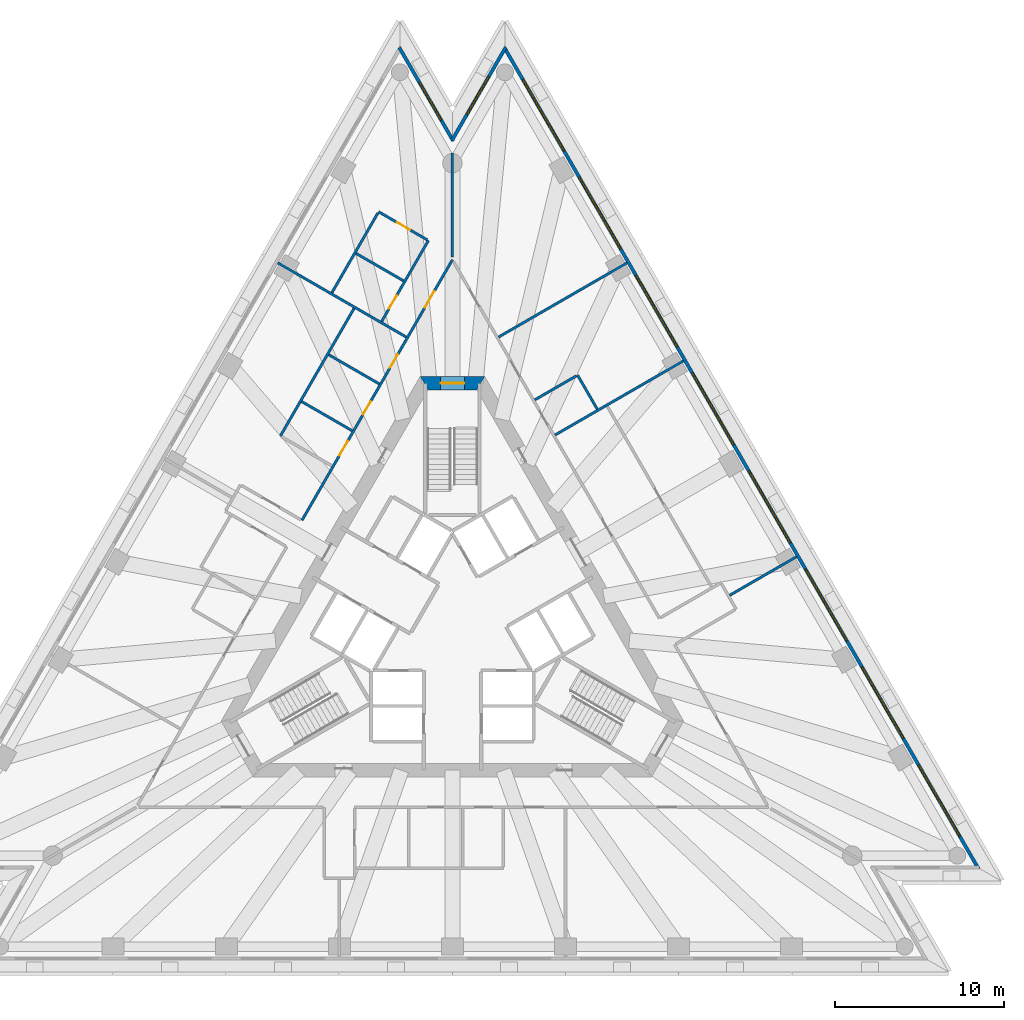
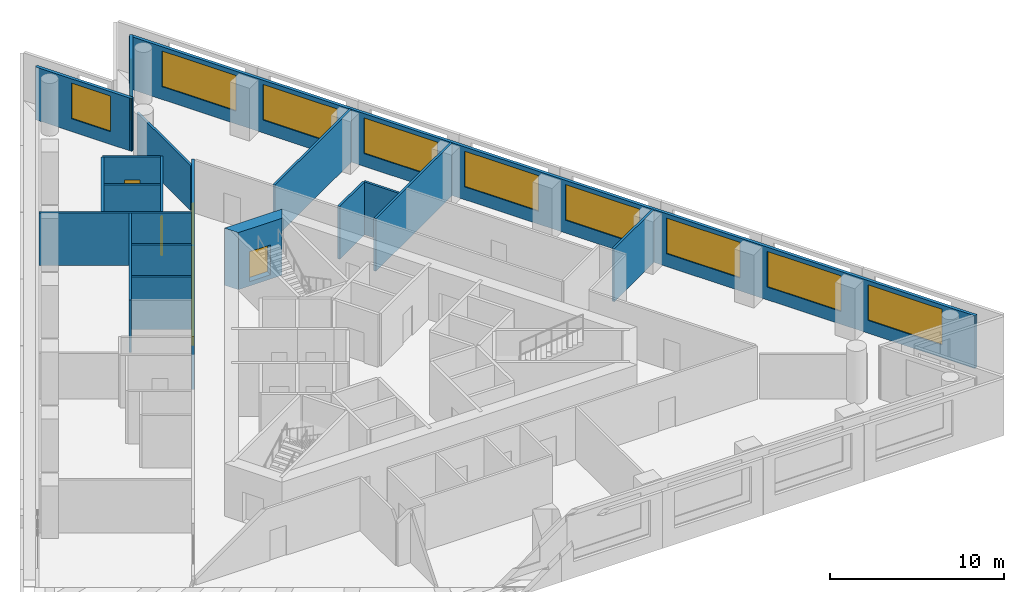
# One storey, part 6 of 9: 19 walls, 10 windows, 7 doors, 17 openings.
"""IFC4 building model written with IfcOpenShell, lengths in metres."""

from ifc_helpers import new_model, si_unit, direction, frame, frame_2d, origin, place, context, subcontext, project, spatial, polyline, rectangle, outline, extrude, material, layer, layer_set, layer_usage, type_object, element, fill, save


model = new_model("IFC4")

# Units and contexts
model_context = context("Model", 3, precision=1e-05, world=origin(), true_north=direction((0.0, 1.0)))
body_context = subcontext(model_context, "Body", "Model", "MODEL_VIEW")
ifc_project = project(units=[si_unit("LENGTHUNIT", "METRE"), si_unit("AREAUNIT", "SQUARE_METRE"), si_unit("VOLUMEUNIT", "CUBIC_METRE"), si_unit("PLANEANGLEUNIT", "RADIAN"), si_unit("MASSUNIT", "GRAM", prefix="KILO")], contexts=[model_context])

# Site, building, storey
site_placement = place(None, origin())
site = spatial("IfcSite", under=ifc_project, at=site_placement, CompositionType="ELEMENT")
building_placement = place(site_placement, origin())
building = spatial("IfcBuilding", under=site, at=building_placement, Name="Triada Interchange Tower", CompositionType="ELEMENT")
storey_placement = place(building_placement, frame((0.0, 0.0, 144.300048828125)))
storey = spatial("IfcBuildingStorey", under=building, at=storey_placement, Name="L33", CompositionType="ELEMENT", Elevation=144.300048828125)

# Wall, opening, door
ifc_material_1 = material(Name="Concrete C60/75", Category="concrete")
ifc_layer_1 = layer(ifc_material_1, 0.800048828125)
ifc_layer_set_1 = layer_set([ifc_layer_1], Name="Core wall B 800")
wall_type_1 = type_object("IfcWallType", Name="Core wall B 800", PredefinedType="SHEAR", material=ifc_layer_set_1)
wall_1_placement = place(storey_placement, frame((1.674072265625, 14.300048828125, -0.300048828125), z_axis=(0.0, 0.0, 1.0), x_axis=(-1.0, 0.0, 0.0)))
wall_1 = element("IfcWall", 1, at=wall_1_placement, inside=storey, type_object=wall_type_1, Name="Core wall WB01 L33", PredefinedType="SHEAR", context=body_context, shape_type="SweptSolid", body=[
    extrude(outline(polyline([(-0.23095703125, -0.39990234375), (1.674072265625, -0.39990234375), (3.5791015625, -0.39990234375), (3.116943359375, 0.39990234375), (1.673828125, 0.39990234375), (0.23095703125, 0.39990234375), (-0.23095703125, -0.39990234375)])), origin(), (0.0, 0.0, 1.0), 4.0),
])
opening_1_placement = place(wall_1_placement, frame((0.97412109375, 0.0, 0.300048828125)))
opening_1 = element("IfcOpeningElement", 2, at=opening_1_placement, cuts=wall_1, Name="Opening D32-35", PredefinedType="OPENING", context=body_context, shape_type="SweptSolid", body=[
    extrude(rectangle(XDim=1.39990234375, YDim=2.10009765625, at=frame_2d((0.699951171875, 1.050048828125))), frame((0.0, 0.409912109375, 0.0), z_axis=(0.0, -1.0, 0.0), x_axis=(1.0, 0.0, 0.0)), (0.0, 0.0, 1.0), 0.820068359375),
])
ifc_material_2 = material(Name="Steel S235 door leaf", Category="steel")
door_type_1 = type_object("IfcDoorType", Name="STAIR DOOR 1400 EI2 90-C5S200", OperationType="DOUBLE_DOOR_SINGLE_SWING", PredefinedType="DOOR", material=ifc_material_2)
door_1_placement = place(opening_1_placement, origin())
door_1 = element("IfcDoor", 3, at=door_1_placement, inside=storey, type_object=door_type_1, Name="Door D32-35 L33", OperationType="DOUBLE_DOOR_SINGLE_SWING", OverallHeight=2.10009765625, OverallWidth=1.39990234375, PredefinedType="DOOR", context=body_context, shape_type="SweptSolid", body=[
    extrude(rectangle(XDim=1.39990234375, YDim=2.10009765625, at=frame_2d((0.699951171875, 1.050048828125))), frame((0.0, 0.02490234375, 0.0), z_axis=(0.0, -1.0, 0.0), x_axis=(1.0, 0.0, 0.0)), (0.0, 0.0, 1.0), 0.050048828125),
])
fill(opening_1, door_1)

# Wall, openings, windows
ifc_material_3 = material(Name="Cement board")
ifc_layer_2 = layer(ifc_material_3, 0.02001953125, Name="Cement board cladding")
ifc_material_4 = material(Name="Sheathing board")
ifc_layer_3 = layer(ifc_material_4, 0.014892578125, Name="Sheathing board")
ifc_material_5 = material(Name="Mineral wool")
ifc_layer_4 = layer(ifc_material_5, 0.14990234375, Name="Mineral wool between steel studs")
ifc_material_6 = material(Name="Gypsum board")
ifc_layer_5 = layer(ifc_material_6, 0.014892578125, Name="Plasterboard lining")
ifc_layer_set_2 = layer_set([ifc_layer_2, ifc_layer_3, ifc_layer_4, ifc_layer_5], Name="External wall 200")
ifc_layer_usage = layer_usage(ifc_layer_set_2, "AXIS2", "POSITIVE", -0.10009765625)
wall_type_2 = type_object("IfcWallType", Name="External wall 200", PredefinedType="ELEMENTEDWALL", material=ifc_layer_set_2)
wall_2_placement = place(storey_placement, frame((31.1259765625, -14.43310546875, 0.0), z_axis=(0.0, 0.0, 1.0), x_axis=(-0.500008098571, 0.866020728022, 0.0)))
wall_2 = element("IfcWall", 4, at=wall_2_placement, inside=storey, type_object=wall_type_2, material=ifc_layer_usage, Name="External wall L33 NE", PredefinedType="ELEMENTEDWALL", context=body_context, shape_type="SweptSolid", body=[
    extrude(rectangle(XDim=56.10498046875, YDim=0.199951171875, at=frame_2d((28.052490234375, 0.0))), origin(), (0.0, 0.0, 1.0), 3.699951171875),
])
opening_2_placement = place(wall_2_placement, frame((2.197998046875, 0.0, 0.89990234375)))
opening_2 = element("IfcOpeningElement", 5, at=opening_2_placement, cuts=wall_2, Name="Opening WB21", PredefinedType="OPENING", context=body_context, shape_type="SweptSolid", body=[
    extrude(rectangle(XDim=4.89990234375, YDim=2.5, at=frame_2d((2.449951171875, 1.25))), frame((0.0, 0.10986328125, 0.0), z_axis=(0.0, -1.0, 0.0), x_axis=(1.0, 0.0, 0.0)), (0.0, 0.0, 1.0), 0.219970703125),
])
opening_3_placement = place(wall_2_placement, frame((8.887939453125, 0.0, 0.89990234375)))
opening_3 = element("IfcOpeningElement", 6, at=opening_3_placement, cuts=wall_2, Name="Opening WB22", PredefinedType="OPENING", context=body_context, shape_type="SweptSolid", body=[
    extrude(rectangle(XDim=4.89990234375, YDim=2.5, at=frame_2d((2.449951171875, 1.25))), frame((0.0, 0.10986328125, 0.0), z_axis=(0.0, -1.0, 0.0), x_axis=(1.0, 0.0, 0.0)), (0.0, 0.0, 1.0), 0.219970703125),
])
opening_4_placement = place(wall_2_placement, frame((15.577880859375, 0.0, 0.89990234375)))
opening_4 = element("IfcOpeningElement", 7, at=opening_4_placement, cuts=wall_2, Name="Opening WB23", PredefinedType="OPENING", context=body_context, shape_type="SweptSolid", body=[
    extrude(rectangle(XDim=4.89990234375, YDim=2.5, at=frame_2d((2.449951171875, 1.25))), frame((0.0, 0.10986328125, 0.0), z_axis=(0.0, -1.0, 0.0), x_axis=(1.0, 0.0, 0.0)), (0.0, 0.0, 1.0), 0.219970703125),
])
opening_5_placement = place(wall_2_placement, frame((22.26708984375, 0.0, 0.89990234375)))
opening_5 = element("IfcOpeningElement", 8, at=opening_5_placement, cuts=wall_2, Name="Opening WB24", PredefinedType="OPENING", context=body_context, shape_type="SweptSolid", body=[
    extrude(rectangle(XDim=4.89990234375, YDim=2.5, at=frame_2d((2.449951171875, 1.25))), frame((0.0, 0.10986328125, 0.0), z_axis=(0.0, -1.0, 0.0), x_axis=(1.0, 0.0, 0.0)), (0.0, 0.0, 1.0), 0.219970703125),
])
opening_6_placement = place(wall_2_placement, frame((28.95703125, 0.0, 0.89990234375)))
opening_6 = element("IfcOpeningElement", 9, at=opening_6_placement, cuts=wall_2, Name="Opening WB25", PredefinedType="OPENING", context=body_context, shape_type="SweptSolid", body=[
    extrude(rectangle(XDim=4.89990234375, YDim=2.5, at=frame_2d((2.449951171875, 1.25))), frame((0.0, 0.10986328125, 0.0), z_axis=(0.0, -1.0, 0.0), x_axis=(1.0, 0.0, 0.0)), (0.0, 0.0, 1.0), 0.219970703125),
])
opening_7_placement = place(wall_2_placement, frame((35.64697265625, 0.0, 0.89990234375)))
opening_7 = element("IfcOpeningElement", 10, at=opening_7_placement, cuts=wall_2, Name="Opening WB26", PredefinedType="OPENING", context=body_context, shape_type="SweptSolid", body=[
    extrude(rectangle(XDim=4.89990234375, YDim=2.5, at=frame_2d((2.449951171875, 1.25))), frame((0.0, 0.10986328125, 0.0), z_axis=(0.0, -1.0, 0.0), x_axis=(1.0, 0.0, 0.0)), (0.0, 0.0, 1.0), 0.219970703125),
])
opening_8_placement = place(wall_2_placement, frame((42.3369140625, 0.0, 0.89990234375)))
opening_8 = element("IfcOpeningElement", 11, at=opening_8_placement, cuts=wall_2, Name="Opening WB27", PredefinedType="OPENING", context=body_context, shape_type="SweptSolid", body=[
    extrude(rectangle(XDim=4.89990234375, YDim=2.5, at=frame_2d((2.449951171875, 1.25))), frame((0.0, 0.10986328125, 0.0), z_axis=(0.0, -1.0, 0.0), x_axis=(1.0, 0.0, 0.0)), (0.0, 0.0, 1.0), 0.219970703125),
])
opening_9_placement = place(wall_2_placement, frame((49.027099609375, 0.0, 0.89990234375)))
opening_9 = element("IfcOpeningElement", 12, at=opening_9_placement, cuts=wall_2, Name="Opening WB28", PredefinedType="OPENING", context=body_context, shape_type="SweptSolid", body=[
    extrude(rectangle(XDim=4.89990234375, YDim=2.5, at=frame_2d((2.449951171875, 1.25))), frame((0.0, 0.10986328125, 0.0), z_axis=(0.0, -1.0, 0.0), x_axis=(1.0, 0.0, 0.0)), (0.0, 0.0, 1.0), 0.219970703125),
])
ifc_material_7 = material(Name="Double glazed aluminium window", Category="aluminium")
window_type_1 = type_object("IfcWindowType", Name="Ribbon window B face", PartitioningType="SINGLE_PANEL", PredefinedType="WINDOW", material=ifc_material_7)
window_1_placement = place(opening_2_placement, origin())
window_1 = element("IfcWindow", 13, at=window_1_placement, inside=storey, type_object=window_type_1, Name="Window L33 NE 1", OverallHeight=2.5, OverallWidth=4.89990234375, PartitioningType="SINGLE_PANEL", PredefinedType="WINDOW", context=body_context, shape_type="SweptSolid", body=[
    extrude(rectangle(XDim=4.89990234375, YDim=2.5, at=frame_2d((2.449951171875, 1.25))), frame((0.0, 0.030029296875, 0.0), z_axis=(0.0, -1.0, 0.0), x_axis=(1.0, 0.0, 0.0)), (0.0, 0.0, 1.0), 0.06005859375),
])
fill(opening_2, window_1)
window_2_placement = place(opening_3_placement, origin())
window_2 = element("IfcWindow", 14, at=window_2_placement, inside=storey, type_object=window_type_1, Name="Window L33 NE 2", OverallHeight=2.5, OverallWidth=4.89990234375, PartitioningType="SINGLE_PANEL", PredefinedType="WINDOW", context=body_context, shape_type="SweptSolid", body=[
    extrude(rectangle(XDim=4.89990234375, YDim=2.5, at=frame_2d((2.449951171875, 1.25))), frame((0.0, 0.030029296875, 0.0), z_axis=(0.0, -1.0, 0.0), x_axis=(1.0, 0.0, 0.0)), (0.0, 0.0, 1.0), 0.06005859375),
])
fill(opening_3, window_2)
window_3_placement = place(opening_4_placement, origin())
window_3 = element("IfcWindow", 15, at=window_3_placement, inside=storey, type_object=window_type_1, Name="Window L33 NE 3", OverallHeight=2.5, OverallWidth=4.89990234375, PartitioningType="SINGLE_PANEL", PredefinedType="WINDOW", context=body_context, shape_type="SweptSolid", body=[
    extrude(rectangle(XDim=4.89990234375, YDim=2.5, at=frame_2d((2.449951171875, 1.25))), frame((0.0, 0.030029296875, 0.0), z_axis=(0.0, -1.0, 0.0), x_axis=(1.0, 0.0, 0.0)), (0.0, 0.0, 1.0), 0.06005859375),
])
fill(opening_4, window_3)
window_4_placement = place(opening_5_placement, origin())
window_4 = element("IfcWindow", 16, at=window_4_placement, inside=storey, type_object=window_type_1, Name="Window L33 NE 4", OverallHeight=2.5, OverallWidth=4.89990234375, PartitioningType="SINGLE_PANEL", PredefinedType="WINDOW", context=body_context, shape_type="SweptSolid", body=[
    extrude(rectangle(XDim=4.89990234375, YDim=2.5, at=frame_2d((2.449951171875, 1.25))), frame((0.0, 0.030029296875, 0.0), z_axis=(0.0, -1.0, 0.0), x_axis=(1.0, 0.0, 0.0)), (0.0, 0.0, 1.0), 0.06005859375),
])
fill(opening_5, window_4)
window_5_placement = place(opening_6_placement, origin())
window_5 = element("IfcWindow", 17, at=window_5_placement, inside=storey, type_object=window_type_1, Name="Window L33 NE 5", OverallHeight=2.5, OverallWidth=4.89990234375, PartitioningType="SINGLE_PANEL", PredefinedType="WINDOW", context=body_context, shape_type="SweptSolid", body=[
    extrude(rectangle(XDim=4.89990234375, YDim=2.5, at=frame_2d((2.449951171875, 1.25))), frame((0.0, 0.030029296875, 0.0), z_axis=(0.0, -1.0, 0.0), x_axis=(1.0, 0.0, 0.0)), (0.0, 0.0, 1.0), 0.06005859375),
])
fill(opening_6, window_5)
window_6_placement = place(opening_7_placement, origin())
window_6 = element("IfcWindow", 18, at=window_6_placement, inside=storey, type_object=window_type_1, Name="Window L33 NE 6", OverallHeight=2.5, OverallWidth=4.89990234375, PartitioningType="SINGLE_PANEL", PredefinedType="WINDOW", context=body_context, shape_type="SweptSolid", body=[
    extrude(rectangle(XDim=4.89990234375, YDim=2.5, at=frame_2d((2.449951171875, 1.25))), frame((0.0, 0.030029296875, 0.0), z_axis=(0.0, -1.0, 0.0), x_axis=(1.0, 0.0, 0.0)), (0.0, 0.0, 1.0), 0.06005859375),
])
fill(opening_7, window_6)
window_7_placement = place(opening_8_placement, origin())
window_7 = element("IfcWindow", 19, at=window_7_placement, inside=storey, type_object=window_type_1, Name="Window L33 NE 7", OverallHeight=2.5, OverallWidth=4.89990234375, PartitioningType="SINGLE_PANEL", PredefinedType="WINDOW", context=body_context, shape_type="SweptSolid", body=[
    extrude(rectangle(XDim=4.89990234375, YDim=2.5, at=frame_2d((2.449951171875, 1.25))), frame((0.0, 0.030029296875, 0.0), z_axis=(0.0, -1.0, 0.0), x_axis=(1.0, 0.0, 0.0)), (0.0, 0.0, 1.0), 0.06005859375),
])
fill(opening_8, window_7)
window_8_placement = place(opening_9_placement, origin())
window_8 = element("IfcWindow", 20, at=window_8_placement, inside=storey, type_object=window_type_1, Name="Window L33 NE 8", OverallHeight=2.5, OverallWidth=4.89990234375, PartitioningType="SINGLE_PANEL", PredefinedType="WINDOW", context=body_context, shape_type="SweptSolid", body=[
    extrude(rectangle(XDim=4.89990234375, YDim=2.5, at=frame_2d((2.449951171875, 1.25))), frame((0.0, 0.030029296875, 0.0), z_axis=(0.0, -1.0, 0.0), x_axis=(1.0, 0.0, 0.0)), (0.0, 0.0, 1.0), 0.06005859375),
])
fill(opening_9, window_8)

# Wall, opening, window
wall_3_placement = place(storey_placement, frame((3.153076171875, 34.172119140625, 0.0), z_axis=(0.0, 0.0, 1.0), x_axis=(-0.499968821344, -0.866043404042, 0.0)))
wall_3 = element("IfcWall", 21, at=wall_3_placement, inside=storey, type_object=wall_type_2, material=ifc_layer_usage, Name="External wall L33 N-1", PredefinedType="ELEMENTEDWALL", context=body_context, shape_type="SweptSolid", body=[
    extrude(rectangle(XDim=6.37646484375, YDim=0.199951171875, at=frame_2d((3.188232421875, 0.0))), origin(), (0.0, 0.0, 1.0), 3.699951171875),
])
opening_10_placement = place(wall_3_placement, frame((1.989990234375, 0.0, 0.89990234375)))
opening_10 = element("IfcOpeningElement", 22, at=opening_10_placement, cuts=wall_3, Name="Opening WB29", PredefinedType="OPENING", context=body_context, shape_type="SweptSolid", body=[
    extrude(rectangle(XDim=2.60009765625, YDim=2.5, at=frame_2d((1.300048828125, 1.25))), frame((0.0, 0.10986328125, 0.0), z_axis=(0.0, -1.0, 0.0), x_axis=(1.0, 0.0, 0.0)), (0.0, 0.0, 1.0), 0.219970703125),
])
window_type_2 = type_object("IfcWindowType", Name="Ribbon window B pocket", PartitioningType="SINGLE_PANEL", PredefinedType="WINDOW", material=ifc_material_7)
window_9_placement = place(opening_10_placement, origin())
window_9 = element("IfcWindow", 23, at=window_9_placement, inside=storey, type_object=window_type_2, Name="Window L33 N-1 1", OverallHeight=2.5, OverallWidth=2.60009765625, PartitioningType="SINGLE_PANEL", PredefinedType="WINDOW", context=body_context, shape_type="SweptSolid", body=[
    extrude(rectangle(XDim=2.60009765625, YDim=2.5, at=frame_2d((1.300048828125, 1.25))), frame((0.0, 0.030029296875, 0.0), z_axis=(0.0, -1.0, 0.0), x_axis=(1.0, 0.0, 0.0)), (0.0, 0.0, 1.0), 0.06005859375),
])
fill(opening_10, window_9)

wall_4_placement = place(storey_placement, frame((0.044921875, 28.633056640625, 0.0), z_axis=(0.0, 0.0, 1.0), x_axis=(-0.49998540044, 0.866033832681, 0.0)))
wall_4 = element("IfcWall", 24, at=wall_4_placement, inside=storey, type_object=wall_type_2, material=ifc_layer_usage, Name="External wall L33 N-2", PredefinedType="ELEMENTEDWALL", context=body_context, shape_type="SweptSolid", body=[
    extrude(rectangle(XDim=6.376220703125, YDim=0.199951171875, at=frame_2d((3.18798828125, 0.0))), origin(), (0.0, 0.0, 1.0), 3.699951171875),
])
opening_11_placement = place(wall_4_placement, frame((1.389892578125, 0.0, 0.89990234375)))
opening_11 = element("IfcOpeningElement", 25, at=opening_11_placement, cuts=wall_4, Name="Opening WB30", PredefinedType="OPENING", context=body_context, shape_type="SweptSolid", body=[
    extrude(rectangle(XDim=2.60009765625, YDim=2.5, at=frame_2d((1.300048828125, 1.25))), frame((0.0, 0.10986328125, 0.0), z_axis=(0.0, -1.0, 0.0), x_axis=(1.0, 0.0, 0.0)), (0.0, 0.0, 1.0), 0.219970703125),
])
window_10_placement = place(opening_11_placement, origin())
window_10 = element("IfcWindow", 26, at=window_10_placement, inside=storey, type_object=window_type_2, Name="Window L33 N-2 1", OverallHeight=2.5, OverallWidth=2.60009765625, PartitioningType="SINGLE_PANEL", PredefinedType="WINDOW", context=body_context, shape_type="SweptSolid", body=[
    extrude(rectangle(XDim=2.60009765625, YDim=2.5, at=frame_2d((1.300048828125, 1.25))), frame((0.0, 0.030029296875, 0.0), z_axis=(0.0, -1.0, 0.0), x_axis=(1.0, 0.0, 0.0)), (0.0, 0.0, 1.0), 0.06005859375),
])
fill(opening_11, window_10)

# Wall, openings, doors
ifc_material_8 = material(Name="Gypsum board partition")
ifc_layer_6 = layer(ifc_material_8, 0.14990234375)
ifc_layer_set_3 = layer_set([ifc_layer_6], Name="PARTITION 150 EI 180")
wall_type_3 = type_object("IfcWallType", Name="PARTITION 150 EI 180", PredefinedType="PARTITIONING", material=ifc_layer_set_3)
wall_5_placement = place(storey_placement, frame((-8.902099609375, 6.180908203125, 0.0), z_axis=(0.0, 0.0, 1.0), x_axis=(0.499992688384, 0.866029625107, 0.0)))
wall_5 = element("IfcWall", 27, at=wall_5_placement, inside=storey, type_object=wall_type_3, Name="Wall L32 8", PredefinedType="PARTITIONING", context=body_context, shape_type="SweptSolid", body=[
    extrude(rectangle(XDim=17.804443359375, YDim=0.14990234375, at=frame_2d((8.90234375, 0.0))), origin(), (0.0, 0.0, 1.0), 3.699951171875),
])
opening_12_placement = place(wall_5_placement, frame((14.553955078125, 0.0, 0.0)))
opening_12 = element("IfcOpeningElement", 28, at=opening_12_placement, cuts=wall_5, Name="Opening D32-23", PredefinedType="OPENING", context=body_context, shape_type="SweptSolid", body=[
    extrude(rectangle(XDim=1.10009765625, YDim=2.10009765625, at=frame_2d((0.550048828125, 1.050048828125))), frame((0.0, 0.0849609375, 0.0), z_axis=(0.0, -1.0, 0.0), x_axis=(1.0, 0.0, 0.0)), (0.0, 0.0, 1.0), 0.169921875),
])
opening_13_placement = place(wall_5_placement, frame((10.427978515625, 0.0, 0.0)))
opening_13 = element("IfcOpeningElement", 29, at=opening_13_placement, cuts=wall_5, Name="Opening D32-27", PredefinedType="OPENING", context=body_context, shape_type="SweptSolid", body=[
    extrude(rectangle(XDim=0.89990234375, YDim=2.10009765625, at=frame_2d((0.449951171875, 1.050048828125))), frame((0.0, 0.0849609375, 0.0), z_axis=(0.0, -1.0, 0.0), x_axis=(1.0, 0.0, 0.0)), (0.0, 0.0, 1.0), 0.169921875),
])
opening_14_placement = place(wall_5_placement, frame((7.22802734375, 0.0, 0.0)))
opening_14 = element("IfcOpeningElement", 30, at=opening_14_placement, cuts=wall_5, Name="Opening D32-28", PredefinedType="OPENING", context=body_context, shape_type="SweptSolid", body=[
    extrude(rectangle(XDim=0.89990234375, YDim=2.10009765625, at=frame_2d((0.449951171875, 1.050048828125))), frame((0.0, 0.0849609375, 0.0), z_axis=(0.0, -1.0, 0.0), x_axis=(1.0, 0.0, 0.0)), (0.0, 0.0, 1.0), 0.169921875),
])
opening_15_placement = place(wall_5_placement, frame((4.427978515625, 0.0, 0.0)))
opening_15 = element("IfcOpeningElement", 31, at=opening_15_placement, cuts=wall_5, Name="Opening D32-29", PredefinedType="OPENING", context=body_context, shape_type="SweptSolid", body=[
    extrude(rectangle(XDim=1.0, YDim=2.10009765625, at=frame_2d((0.5, 1.050048828125))), frame((0.0, 0.0849609375, 0.0), z_axis=(0.0, -1.0, 0.0), x_axis=(1.0, 0.0, 0.0)), (0.0, 0.0, 1.0), 0.169921875),
])
door_type_2 = type_object("IfcDoorType", Name="ROOM DOOR 1000 EI2 90-C5S200", OperationType="NOTDEFINED", PredefinedType="DOOR", material=ifc_material_2)
door_2_placement = place(opening_15_placement, origin())
door_2 = element("IfcDoor", 32, at=door_2_placement, inside=storey, type_object=door_type_2, Name="Door D32-29 L33", OperationType="SINGLE_SWING_LEFT", OverallHeight=2.10009765625, OverallWidth=1.0, PredefinedType="DOOR", context=body_context, shape_type="SweptSolid", body=[
    extrude(rectangle(XDim=1.0, YDim=2.10009765625, at=frame_2d((0.5, 1.050048828125))), frame((0.0, 0.02490234375, 0.0), z_axis=(0.0, -1.0, 0.0), x_axis=(1.0, 0.0, 0.0)), (0.0, 0.0, 1.0), 0.050048828125),
])
fill(opening_15, door_2)
door_type_3 = type_object("IfcDoorType", Name="ROOM DOOR 900 EI2 90-C5S200", OperationType="NOTDEFINED", PredefinedType="DOOR", material=ifc_material_2)
door_3_placement = place(opening_13_placement, origin())
door_3 = element("IfcDoor", 33, at=door_3_placement, inside=storey, type_object=door_type_3, Name="Door D32-27 L33", OperationType="SINGLE_SWING_RIGHT", OverallHeight=2.10009765625, OverallWidth=0.89990234375, PredefinedType="DOOR", context=body_context, shape_type="SweptSolid", body=[
    extrude(rectangle(XDim=0.89990234375, YDim=2.10009765625, at=frame_2d((0.449951171875, 1.050048828125))), frame((0.0, 0.02490234375, 0.0), z_axis=(0.0, -1.0, 0.0), x_axis=(1.0, 0.0, 0.0)), (0.0, 0.0, 1.0), 0.050048828125),
])
fill(opening_13, door_3)
door_4_placement = place(opening_14_placement, origin())
door_4 = element("IfcDoor", 34, at=door_4_placement, inside=storey, type_object=door_type_3, Name="Door D32-28 L33", OperationType="SINGLE_SWING_RIGHT", OverallHeight=2.10009765625, OverallWidth=0.89990234375, PredefinedType="DOOR", context=body_context, shape_type="SweptSolid", body=[
    extrude(rectangle(XDim=0.89990234375, YDim=2.10009765625, at=frame_2d((0.449951171875, 1.050048828125))), frame((0.0, 0.02490234375, 0.0), z_axis=(0.0, -1.0, 0.0), x_axis=(1.0, 0.0, 0.0)), (0.0, 0.0, 1.0), 0.050048828125),
])
fill(opening_14, door_4)
door_type_4 = type_object("IfcDoorType", Name="TENANCY ENTRANCE DOOR 1100 EI2 90-C5S200", OperationType="NOTDEFINED", PredefinedType="DOOR", material=ifc_material_2)
door_5_placement = place(opening_12_placement, origin())
door_5 = element("IfcDoor", 35, at=door_5_placement, inside=storey, type_object=door_type_4, Name="Door D32-23 L33", OperationType="SINGLE_SWING_RIGHT", OverallHeight=2.10009765625, OverallWidth=1.10009765625, PredefinedType="DOOR", context=body_context, shape_type="SweptSolid", body=[
    extrude(rectangle(XDim=1.10009765625, YDim=2.10009765625, at=frame_2d((0.550048828125, 1.050048828125))), frame((0.0, 0.02490234375, 0.0), z_axis=(0.0, -1.0, 0.0), x_axis=(1.0, 0.0, 0.0)), (0.0, 0.0, 1.0), 0.050048828125),
])
fill(opening_12, door_5)

# Walls
wall_6_placement = place(storey_placement, frame((-10.3349609375, 21.4169921875, 0.0), z_axis=(0.0, 0.0, 1.0), x_axis=(0.866014327354, -0.50001918445, 0.0)))
element("IfcWall", 36, at=wall_6_placement, inside=storey, type_object=wall_type_3, Name="Wall L32 18", PredefinedType="PARTITIONING", context=body_context, shape_type="SweptSolid", body=[
    extrude(rectangle(XDim=8.783935546875, YDim=0.14990234375, at=frame_2d((4.39208984375, 0.0))), origin(), (0.0, 0.0, 1.0), 3.699951171875),
])
wall_7_placement = place(storey_placement, frame((-10.180908203125, 11.1669921875, 0.0), z_axis=(0.0, 0.0, 1.0), x_axis=(0.500033294772, 0.866006180185, 0.0)))
element("IfcWall", 37, at=wall_7_placement, inside=storey, type_object=wall_type_3, Name="Wall L32 19", PredefinedType="PARTITIONING", context=body_context, shape_type="SweptSolid", body=[
    extrude(rectangle(XDim=8.72509765625, YDim=0.14990234375, at=frame_2d((4.362548828125, 0.0))), origin(), (0.0, 0.0, 1.0), 3.699951171875),
])
for number, where, z_axis, x_axis, name in (
    (38, (-8.916015625, 13.2080078125, 0.0), (0.0, 0.0, 1.0), (0.866031223622, -0.49998991961, 0.0), "Wall L32 21"),
    (39, (-7.31591796875, 15.97900390625, 0.0), (0.0, 0.0, 1.0), (0.866031223622, -0.49998991961, 0.0), "Wall L32 22"),
):
    element("IfcWall", number, at=place(storey_placement, frame(where, z_axis=z_axis, x_axis=x_axis)), inside=storey, type_object=wall_type_3, Name=name, PredefinedType="PARTITIONING", context=body_context, shape_type="SweptSolid", body=[
        extrude(rectangle(XDim=3.4501953125, YDim=0.14990234375, at=frame_2d((1.72509765625, 0.0))), origin(), (0.0, 0.0, 1.0), 3.699951171875),
    ])
wall_8_placement = place(storey_placement, frame((0.0, 21.75, 0.0), z_axis=(0.0, 0.0, 1.0), x_axis=(0.0, 1.0, 0.0)))
element("IfcWall", 40, at=wall_8_placement, inside=storey, type_object=wall_type_3, Name="Wall L32 27", PredefinedType="PARTITIONING", context=body_context, shape_type="SweptSolid", body=[
    extrude(rectangle(XDim=6.180908203125, YDim=0.14990234375, at=frame_2d((3.09033203125, 0.0))), origin(), (0.0, 0.0, 1.0), 3.14990234375),
])
wall_9_placement = place(storey_placement, frame((2.72802734375, 17.02490234375, 0.0), z_axis=(0.0, 0.0, 1.0), x_axis=(0.866014327354, 0.50001918445, 0.0)))
element("IfcWall", 41, at=wall_9_placement, inside=storey, type_object=wall_type_3, Name="Wall L32 32", PredefinedType="PARTITIONING", context=body_context, shape_type="SweptSolid", body=[
    extrude(rectangle(XDim=8.783935546875, YDim=0.14990234375, at=frame_2d((4.39208984375, 0.0))), origin(), (0.0, 0.0, 1.0), 3.699951171875),
])
wall_10_placement = place(storey_placement, frame((7.406005859375, 14.77197265625, 0.0), z_axis=(0.0, 0.0, 1.0), x_axis=(0.50029509392, -0.865854964183, 0.0)))
element("IfcWall", 42, at=wall_10_placement, inside=storey, type_object=wall_type_3, Name="Wall L32 33", PredefinedType="PARTITIONING", context=body_context, shape_type="SweptSolid", body=[
    extrude(rectangle(XDim=2.32470703125, YDim=0.14990234375, at=frame_2d((1.162353515625, 0.0))), origin(), (0.0, 0.0, 1.0), 3.699951171875),
])
wall_11_placement = place(storey_placement, frame((4.873046875, 13.31005859375, 0.0), z_axis=(0.0, 0.0, 1.0), x_axis=(0.866004402611, 0.500036373335, 0.0)))
element("IfcWall", 43, at=wall_11_placement, inside=storey, type_object=wall_type_3, Name="Wall L32 34", PredefinedType="PARTITIONING", context=body_context, shape_type="SweptSolid", body=[
    extrude(rectangle(XDim=2.849853515625, YDim=0.14990234375, at=frame_2d((1.4248046875, 0.0))), origin(), (0.0, 0.0, 1.0), 3.699951171875),
])
wall_12_placement = place(storey_placement, frame((6.072998046875, 11.23095703125, 0.0), z_axis=(0.0, 0.0, 1.0), x_axis=(0.866014327354, 0.50001918445, 0.0)))
element("IfcWall", 44, at=wall_12_placement, inside=storey, type_object=wall_type_3, Name="Wall L32 35", PredefinedType="PARTITIONING", context=body_context, shape_type="SweptSolid", body=[
    extrude(rectangle(XDim=8.783935546875, YDim=0.14990234375, at=frame_2d((4.39208984375, 0.0))), origin(), (0.0, 0.0, 1.0), 3.699951171875),
])
wall_13_placement = place(storey_placement, frame((16.39990234375, 1.743896484375, 0.0), z_axis=(0.0, 0.0, 1.0), x_axis=(0.866045467449, 0.499965247104, 0.0)))
element("IfcWall", 45, at=wall_13_placement, inside=storey, type_object=wall_type_3, Name="Wall L32 39", PredefinedType="PARTITIONING", context=body_context, shape_type="SweptSolid", body=[
    extrude(rectangle(XDim=4.584228515625, YDim=0.14990234375, at=frame_2d((2.2919921875, 0.0))), origin(), (0.0, 0.0, 1.0), 3.699951171875),
])

# Wall, opening, door
ifc_layer_7 = layer(ifc_material_8, 0.14990234375)
ifc_layer_set_4 = layer_set([ifc_layer_7], Name="PARTITION 150 EI 90")
wall_type_4 = type_object("IfcWallType", Name="PARTITION 150 EI 90", PredefinedType="PARTITIONING", material=ifc_layer_set_4)
wall_14_placement = place(storey_placement, frame((-4.18408203125, 17.952880859375, 0.0), z_axis=(0.0, 0.0, 1.0), x_axis=(0.499974945523, 0.866039868511, 0.0)))
wall_14 = element("IfcWall", 46, at=wall_14_placement, inside=storey, type_object=wall_type_4, Name="Wall L32 41", PredefinedType="PARTITIONING", context=body_context, shape_type="SweptSolid", body=[
    extrude(rectangle(XDim=5.524169921875, YDim=0.14990234375, at=frame_2d((2.76220703125, 0.0))), origin(), (0.0, 0.0, 1.0), 3.699951171875),
])
opening_16_placement = place(wall_14_placement, frame((0.8740234375, 0.0, 0.0)))
opening_16 = element("IfcOpeningElement", 47, at=opening_16_placement, cuts=wall_14, Name="Opening D32-24", PredefinedType="OPENING", context=body_context, shape_type="SweptSolid", body=[
    extrude(rectangle(XDim=0.89990234375, YDim=2.10009765625, at=frame_2d((0.449951171875, 1.050048828125))), frame((0.0, 0.0849609375, 0.0), z_axis=(0.0, -1.0, 0.0), x_axis=(1.0, 0.0, 0.0)), (0.0, 0.0, 1.0), 0.169921875),
])
door_type_5 = type_object("IfcDoorType", Name="ROOM DOOR 900 EI2 45-C5S200", OperationType="NOTDEFINED", PredefinedType="DOOR", material=ifc_material_2)
door_6_placement = place(opening_16_placement, origin())
door_6 = element("IfcDoor", 48, at=door_6_placement, inside=storey, type_object=door_type_5, Name="Door D32-24 L33", OperationType="SINGLE_SWING_LEFT", OverallHeight=2.10009765625, OverallWidth=0.89990234375, PredefinedType="DOOR", context=body_context, shape_type="SweptSolid", body=[
    extrude(rectangle(XDim=0.89990234375, YDim=2.10009765625, at=frame_2d((0.449951171875, 1.050048828125))), frame((0.0, 0.02490234375, 0.0), z_axis=(0.0, -1.0, 0.0), x_axis=(1.0, 0.0, 0.0)), (0.0, 0.0, 1.0), 0.050048828125),
])
fill(opening_16, door_6)

wall_15_placement = place(storey_placement, frame((-4.365966796875, 24.43701171875, 0.0), z_axis=(0.0, 0.0, 1.0), x_axis=(0.866029041019, -0.499993700073, 0.0)))
wall_15 = element("IfcWall", 49, at=wall_15_placement, inside=storey, type_object=wall_type_4, Name="Wall L32 42", PredefinedType="PARTITIONING", context=body_context, shape_type="SweptSolid", body=[
    extrude(rectangle(XDim=3.32421875, YDim=0.14990234375, at=frame_2d((1.662109375, 0.0))), origin(), (0.0, 0.0, 1.0), 3.699951171875),
])
opening_17_placement = place(wall_15_placement, frame((1.25, 0.0, 0.0)))
opening_17 = element("IfcOpeningElement", 50, at=opening_17_placement, cuts=wall_15, Name="Opening D32-25", PredefinedType="OPENING", context=body_context, shape_type="SweptSolid", body=[
    extrude(rectangle(XDim=0.89990234375, YDim=2.10009765625, at=frame_2d((0.449951171875, 1.050048828125))), frame((0.0, 0.0849609375, 0.0), z_axis=(0.0, -1.0, 0.0), x_axis=(1.0, 0.0, 0.0)), (0.0, 0.0, 1.0), 0.169921875),
])
door_7_placement = place(opening_17_placement, origin())
door_7 = element("IfcDoor", 51, at=door_7_placement, inside=storey, type_object=door_type_5, Name="Door D32-25 L33", OperationType="SINGLE_SWING_LEFT", OverallHeight=2.10009765625, OverallWidth=0.89990234375, PredefinedType="DOOR", context=body_context, shape_type="SweptSolid", body=[
    extrude(rectangle(XDim=0.89990234375, YDim=2.10009765625, at=frame_2d((0.449951171875, 1.050048828125))), frame((0.0, 0.02490234375, 0.0), z_axis=(0.0, -1.0, 0.0), x_axis=(1.0, 0.0, 0.0)), (0.0, 0.0, 1.0), 0.050048828125),
])
fill(opening_17, door_7)

# Walls
wall_16_placement = place(storey_placement, frame((-7.12890625, 19.653076171875, 0.0), z_axis=(0.0, 0.0, 1.0), x_axis=(0.500046929803, 0.865998307155, 0.0)))
element("IfcWall", 52, at=wall_16_placement, inside=storey, type_object=wall_type_4, Name="Wall L32 43", PredefinedType="PARTITIONING", context=body_context, shape_type="SweptSolid", body=[
    extrude(rectangle(XDim=5.44921875, YDim=0.14990234375, at=frame_2d((2.724609375, 0.0))), origin(), (0.0, 0.0, 1.0), 3.699951171875),
])
wall_17_placement = place(storey_placement, frame((-5.700927734375, 21.97509765625, 0.0), z_axis=(0.0, 0.0, 1.0), x_axis=(0.865977875238, -0.500082312822, 0.0)))
element("IfcWall", 53, at=wall_17_placement, inside=storey, type_object=wall_type_4, Name="Wall L32 44", PredefinedType="PARTITIONING", context=body_context, shape_type="SweptSolid", body=[
    extrude(rectangle(XDim=3.24951171875, YDim=0.14990234375, at=frame_2d((1.624755859375, 0.0))), origin(), (0.0, 0.0, 1.0), 3.699951171875),
])

save(model, "model.ifc")
